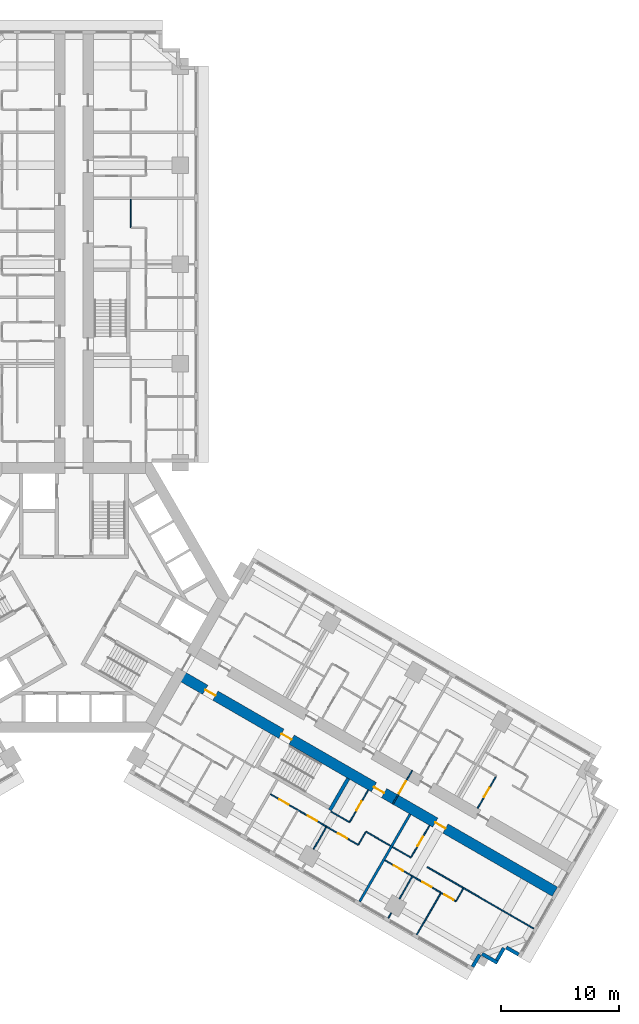
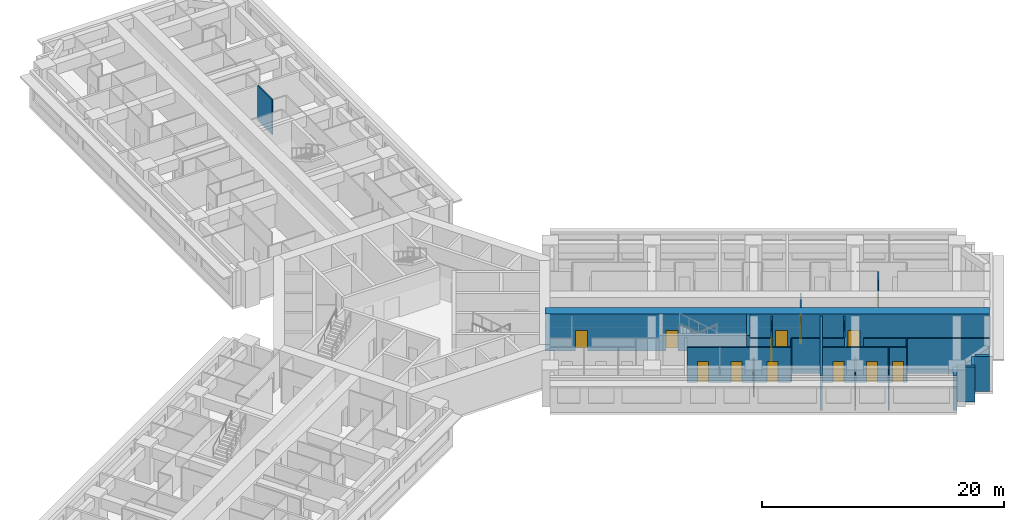
# One storey, part 11 of 16: 24 walls, 14 doors, 14 openings.
"""IFC4 building model written with IfcOpenShell, lengths in metres."""

from ifc_helpers import new_model, si_unit, direction, frame, frame_2d, origin, place, context, subcontext, project, spatial, rectangle, extrude, material, layer, layer_set, type_object, element, fill, save


model = new_model("IFC4")

# Units and contexts
model_context = context("Model", 3, precision=1e-05, world=origin(), true_north=direction((0.0, 1.0)))
body_context = subcontext(model_context, "Body", "Model", "MODEL_VIEW")
ifc_project = project(units=[si_unit("LENGTHUNIT", "METRE"), si_unit("AREAUNIT", "SQUARE_METRE"), si_unit("VOLUMEUNIT", "CUBIC_METRE"), si_unit("PLANEANGLEUNIT", "RADIAN"), si_unit("MASSUNIT", "GRAM", prefix="KILO")], contexts=[model_context])

# Site, building, storey
site_placement = place(None, origin())
site = spatial("IfcSite", under=ifc_project, at=site_placement, CompositionType="ELEMENT")
building_placement = place(site_placement, origin())
building = spatial("IfcBuilding", under=site, at=building_placement, Name="Impinga Residences", CompositionType="ELEMENT")
storey_placement = place(building_placement, frame((0.0, 0.0, 59.75)))
storey = spatial("IfcBuildingStorey", under=building, at=storey_placement, Name="L14", CompositionType="ELEMENT", Elevation=59.75)

# Wall, openings, doors
ifc_material_1 = material(Name="Concrete C70/85", Category="concrete")
ifc_layer_1 = layer(ifc_material_1, 0.89990234375)
ifc_layer_set_1 = layer_set([ifc_layer_1], Name="Concrete C70/85")
wall_type_1 = type_object("IfcWallType", Name="BW1 corridor buttress wall, L05 to L22 900", PredefinedType="SHEAR", material=ifc_layer_set_1)
wall_1_placement = place(storey_placement, frame((8.910400390625, -6.530029296875, 0.0), z_axis=(0.0, 0.0, 1.0), x_axis=(0.866025284237, -0.500000207062, 0.0)))
wall_1 = element("IfcWall", 1, at=wall_1_placement, inside=storey, type_object=wall_type_1, Name="Corridor wall BW1 ED L14", PredefinedType="SHEAR", context=body_context, shape_type="SweptSolid", body=[
    extrude(rectangle(XDim=36.75, YDim=0.89990234375, at=frame_2d((18.375, 0.0))), origin(), (0.0, 0.0, 1.0), 3.75),
])
opening_1_placement = place(wall_1_placement, frame((10.0, 0.0, 0.0)))
opening_1 = element("IfcOpeningElement", 2, at=opening_1_placement, cuts=wall_1, Name="Opening D5", PredefinedType="OPENING", context=body_context, shape_type="SweptSolid", body=[
    extrude(rectangle(XDim=1.0, YDim=2.10009765625, at=frame_2d((0.5, 1.050048828125))), frame((0.0, 0.4599609375, 0.0), z_axis=(0.0, -1.0, 0.0), x_axis=(1.0, 0.0, 0.0)), (0.0, 0.0, 1.0), 0.919921875),
])
opening_2_placement = place(wall_1_placement, frame((2.550048828125, 0.0, 0.0)))
opening_2 = element("IfcOpeningElement", 3, at=opening_2_placement, cuts=wall_1, Name="Opening D1", PredefinedType="OPENING", context=body_context, shape_type="SweptSolid", body=[
    extrude(rectangle(XDim=1.0, YDim=2.10009765625, at=frame_2d((0.5, 1.050048828125))), frame((0.0, 0.4599609375, 0.0), z_axis=(0.0, -1.0, 0.0), x_axis=(1.0, 0.0, 0.0)), (0.0, 0.0, 1.0), 0.919921875),
])
opening_3_placement = place(wall_1_placement, frame((19.050048828125, 0.0, 0.0)))
opening_3 = element("IfcOpeningElement", 4, at=opening_3_placement, cuts=wall_1, Name="Opening D1", PredefinedType="OPENING", context=body_context, shape_type="SweptSolid", body=[
    extrude(rectangle(XDim=1.0, YDim=2.10009765625, at=frame_2d((0.5, 1.050048828125))), frame((0.0, 0.4599609375, 0.0), z_axis=(0.0, -1.0, 0.0), x_axis=(1.0, 0.0, 0.0)), (0.0, 0.0, 1.0), 0.919921875),
])
opening_4_placement = place(wall_1_placement, frame((25.050048828125, 0.0, 0.0)))
opening_4 = element("IfcOpeningElement", 5, at=opening_4_placement, cuts=wall_1, Name="Opening D1", PredefinedType="OPENING", context=body_context, shape_type="SweptSolid", body=[
    extrude(rectangle(XDim=1.0, YDim=2.10009765625, at=frame_2d((0.5, 1.050048828125))), frame((0.0, 0.4599609375, 0.0), z_axis=(0.0, -1.0, 0.0), x_axis=(1.0, 0.0, 0.0)), (0.0, 0.0, 1.0), 0.919921875),
])
ifc_material_2 = material(Name="Timber door set", Category="wood")
door_type_1 = type_object("IfcDoorType", Name="D1 apartment entrance door 1000x2100", OperationType="SINGLE_SWING_LEFT", PredefinedType="DOOR", material=ifc_material_2)
door_1_placement = place(opening_2_placement, origin())
door_1 = element("IfcDoor", 6, at=door_1_placement, inside=storey, type_object=door_type_1, Name="Apartment L14-EF1 entrance", OperationType="SINGLE_SWING_LEFT", OverallHeight=2.10009765625, OverallWidth=1.0, PredefinedType="DOOR", context=body_context, shape_type="SweptSolid", body=[
    extrude(rectangle(XDim=1.0, YDim=2.10009765625, at=frame_2d((0.5, 1.050048828125))), frame((0.0, 0.02490234375, 0.0), z_axis=(0.0, -1.0, 0.0), x_axis=(1.0, 0.0, 0.0)), (0.0, 0.0, 1.0), 0.050048828125),
])
fill(opening_2, door_1)
door_2_placement = place(opening_3_placement, origin())
door_2 = element("IfcDoor", 7, at=door_2_placement, inside=storey, type_object=door_type_1, Name="Apartment L14-EF2 entrance", OperationType="SINGLE_SWING_RIGHT", OverallHeight=2.10009765625, OverallWidth=1.0, PredefinedType="DOOR", context=body_context, shape_type="SweptSolid", body=[
    extrude(rectangle(XDim=1.0, YDim=2.10009765625, at=frame_2d((0.5, 1.050048828125))), frame((0.0, 0.02490234375, 0.0), z_axis=(0.0, -1.0, 0.0), x_axis=(1.0, 0.0, 0.0)), (0.0, 0.0, 1.0), 0.050048828125),
])
fill(opening_3, door_2)
door_3_placement = place(opening_4_placement, origin())
door_3 = element("IfcDoor", 8, at=door_3_placement, inside=storey, type_object=door_type_1, Name="Apartment L14-EF3 entrance", OperationType="SINGLE_SWING_RIGHT", OverallHeight=2.10009765625, OverallWidth=1.0, PredefinedType="DOOR", context=body_context, shape_type="SweptSolid", body=[
    extrude(rectangle(XDim=1.0, YDim=2.10009765625, at=frame_2d((0.5, 1.050048828125))), frame((0.0, 0.02490234375, 0.0), z_axis=(0.0, -1.0, 0.0), x_axis=(1.0, 0.0, 0.0)), (0.0, 0.0, 1.0), 0.050048828125),
])
fill(opening_4, door_3)
door_type_2 = type_object("IfcDoorType", Name="D5 stair door 1000x2100", OperationType="SINGLE_SWING_LEFT", PredefinedType="DOOR", material=ifc_material_2)
door_4_placement = place(opening_1_placement, origin())
door_4 = element("IfcDoor", 9, at=door_4_placement, inside=storey, type_object=door_type_2, Name="Wing stair door E", OperationType="SINGLE_SWING_LEFT", OverallHeight=2.10009765625, OverallWidth=1.0, PredefinedType="DOOR", context=body_context, shape_type="SweptSolid", body=[
    extrude(rectangle(XDim=1.0, YDim=2.10009765625, at=frame_2d((0.5, 1.050048828125))), frame((0.0, 0.02490234375, 0.0), z_axis=(0.0, -1.0, 0.0), x_axis=(1.0, 0.0, 0.0)), (0.0, 0.0, 1.0), 0.050048828125),
])
fill(opening_1, door_4)

# Wall, opening, door
ifc_material_3 = material(Name="Concrete blockwork", Category="masonry")
ifc_layer_2 = layer(ifc_material_3, 0.10009765625)
ifc_layer_set_2 = layer_set([ifc_layer_2], Name="CP1 core room partition, blockwork 100")
wall_type_2 = type_object("IfcWallType", Name="CP1 core room partition, blockwork 100", PredefinedType="PARTITIONING", material=ifc_layer_set_2)
wall_2_placement = place(storey_placement, frame((28.652099609375, -14.636962890625, 0.0), z_axis=(0.0, 0.0, 1.0), x_axis=(-0.499974350878, -0.866040211805, 0.0)))
wall_2 = element("IfcWall", 10, at=wall_2_placement, inside=storey, type_object=wall_type_2, Name="Core room partition, blockwork L14:E:SCR", PredefinedType="PARTITIONING", context=body_context, shape_type="SweptSolid", body=[
    extrude(rectangle(XDim=3.300048828125, YDim=0.10009765625, at=frame_2d((1.64990234375, 0.0))), origin(), (0.0, 0.0, 1.0), 3.530029296875),
])
opening_5_placement = place(wall_2_placement, frame((1.050048828125, 0.0, 0.0)))
opening_5 = element("IfcOpeningElement", 11, at=opening_5_placement, cuts=wall_2, Name="Opening D3", PredefinedType="OPENING", context=body_context, shape_type="SweptSolid", body=[
    extrude(rectangle(XDim=1.199951171875, YDim=2.10009765625, at=frame_2d((0.60009765625, 1.050048828125))), frame((0.0, 0.06005859375, 0.0), z_axis=(0.0, -1.0, 0.0), x_axis=(1.0, 0.0, 0.0)), (0.0, 0.0, 1.0), 0.1201171875),
])
door_type_3 = type_object("IfcDoorType", Name="D3 room door, leaf and a half 1200x2100", OperationType="DOUBLE_SWING_LEFT", PredefinedType="DOOR", material=ifc_material_2)
door_5_placement = place(opening_5_placement, origin())
door_5 = element("IfcDoor", 12, at=door_5_placement, inside=storey, type_object=door_type_3, Name="Corridor smoke door E", OperationType="DOUBLE_SWING_LEFT", OverallHeight=2.10009765625, OverallWidth=1.199951171875, PredefinedType="DOOR", context=body_context, shape_type="SweptSolid", body=[
    extrude(rectangle(XDim=1.199951171875, YDim=2.10009765625, at=frame_2d((0.60009765625, 1.050048828125))), frame((0.0, 0.02490234375, 0.0), z_axis=(0.0, -1.0, 0.0), x_axis=(1.0, 0.0, 0.0)), (0.0, 0.0, 1.0), 0.050048828125),
])
fill(opening_5, door_5)

# Walls
ifc_material_4 = material(Name="Terracotta rainscreen on blockwork", Category="masonry")
ifc_layer_3 = layer(ifc_material_4, 0.300048828125)
ifc_layer_set_3 = layer_set([ifc_layer_3], Name="EW1 external wall, terracotta rainscreen on blockwork 300")
wall_type_3 = type_object("IfcWallType", Name="EW1 external wall, terracotta rainscreen on blockwork 300", PredefinedType="SOLIDWALL", material=ifc_layer_set_3)
wall_3_placement = place(storey_placement, frame((37.66162109375, -30.23095703125, 0.0), z_axis=(0.0, 0.0, 1.0), x_axis=(-0.866059708757, 0.499940577336, 0.0)))
element("IfcWall", 13, at=wall_3_placement, inside=storey, type_object=wall_type_3, Name="External wall EW1 L14", PredefinedType="SOLIDWALL", context=body_context, shape_type="SweptSolid", body=[
    extrude(rectangle(XDim=1.195068359375, YDim=0.300048828125, at=frame_2d((0.59765625, 0.0))), origin(), (0.0, 0.0, 1.0), 3.530029296875),
])
wall_4_placement = place(storey_placement, frame((36.41748046875, -29.68603515625, 0.0), z_axis=(0.0, 0.0, 1.0), x_axis=(-0.499969057507, -0.866043267704, 0.0)))
element("IfcWall", 14, at=wall_4_placement, inside=storey, type_object=wall_type_3, Name="External wall EW1 L14", PredefinedType="SOLIDWALL", context=body_context, shape_type="SweptSolid", body=[
    extrude(rectangle(XDim=1.19970703125, YDim=0.300048828125, at=frame_2d((0.599853515625, 0.0))), origin(), (0.0, 0.0, 1.0), 3.530029296875),
])
wall_5_placement = place(storey_placement, frame((35.87255859375, -30.93017578125, 0.0), z_axis=(0.0, 0.0, 1.0), x_axis=(-0.866031096941, 0.499990139034, 0.0)))
element("IfcWall", 15, at=wall_5_placement, inside=storey, type_object=wall_type_3, Name="External wall EW1 L14", PredefinedType="SOLIDWALL", context=body_context, shape_type="SweptSolid", body=[
    extrude(rectangle(XDim=1.5, YDim=0.300048828125, at=frame_2d((0.75, 0.0))), origin(), (0.0, 0.0, 1.0), 3.530029296875),
])
wall_6_placement = place(storey_placement, frame((34.365966796875, -30.2392578125, 0.0), z_axis=(0.0, 0.0, 1.0), x_axis=(-0.499940577336, -0.866059708757, 0.0)))
element("IfcWall", 16, at=wall_6_placement, inside=storey, type_object=wall_type_3, Name="External wall EW1 L14", PredefinedType="SOLIDWALL", context=body_context, shape_type="SweptSolid", body=[
    extrude(rectangle(XDim=1.195068359375, YDim=0.300048828125, at=frame_2d((0.59765625, 0.0))), origin(), (0.0, 0.0, 1.0), 3.530029296875),
])
ifc_material_5 = material(Name="Gypsum board on steel studs", Category="steel")
ifc_layer_4 = layer(ifc_material_5, 0.10009765625)
ifc_layer_set_4 = layer_set([ifc_layer_4], Name="Gypsum board on steel studs")
wall_type_4 = type_object("IfcWallType", Name="IP1 partition 100", PredefinedType="PARTITIONING", material=ifc_layer_set_4)
wall_7_placement = place(storey_placement, frame((4.800048828125, 31.33154296875, 0.0), z_axis=(0.0, 0.0, 1.0), x_axis=(0.0, 1.0, 0.0)))
element("IfcWall", 17, at=wall_7_placement, inside=storey, type_object=wall_type_4, Name="Partition L14-NF2:DIV1", PredefinedType="PARTITIONING", context=body_context, shape_type="SweptSolid", body=[
    extrude(rectangle(XDim=2.39990234375, YDim=0.10009765625, at=frame_2d((1.199951171875, 0.0))), origin(), (0.0, 0.0, 1.0), 3.530029296875),
])

# Wall, opening, door
wall_8_placement = place(storey_placement, frame((34.1943359375, -17.8369140625, 0.0), z_axis=(0.0, 0.0, 1.0), x_axis=(0.49999285859, 0.86602952684, 0.0)))
wall_8 = element("IfcWall", 18, at=wall_8_placement, inside=storey, type_object=wall_type_4, Name="Partition L14-EA5:IB1", PredefinedType="PARTITIONING", context=body_context, shape_type="SweptSolid", body=[
    extrude(rectangle(XDim=3.10009765625, YDim=0.10009765625, at=frame_2d((1.550048828125, 0.0))), origin(), (0.0, 0.0, 1.0), 3.530029296875),
])
opening_6_placement = place(wall_8_placement, frame((1.10009765625, 0.0, 0.0)))
opening_6 = element("IfcOpeningElement", 19, at=opening_6_placement, cuts=wall_8, Name="Opening D2", PredefinedType="OPENING", context=body_context, shape_type="SweptSolid", body=[
    extrude(rectangle(XDim=0.89990234375, YDim=2.10009765625, at=frame_2d((0.449951171875, 1.050048828125))), frame((0.0, 0.06005859375, 0.0), z_axis=(0.0, -1.0, 0.0), x_axis=(1.0, 0.0, 0.0)), (0.0, 0.0, 1.0), 0.1201171875),
])
door_type_4 = type_object("IfcDoorType", Name="D2 internal door 900x2100", OperationType="SINGLE_SWING_LEFT", PredefinedType="DOOR", material=ifc_material_2)
door_6_placement = place(opening_6_placement, origin())
door_6 = element("IfcDoor", 20, at=door_6_placement, inside=storey, type_object=door_type_4, Name="Apartment L14-EA5 bathroom door", OperationType="SINGLE_SWING_LEFT", OverallHeight=2.10009765625, OverallWidth=0.89990234375, PredefinedType="DOOR", context=body_context, shape_type="SweptSolid", body=[
    extrude(rectangle(XDim=0.89990234375, YDim=2.10009765625, at=frame_2d((0.449951171875, 1.050048828125))), frame((0.0, 0.02490234375, 0.0), z_axis=(0.0, -1.0, 0.0), x_axis=(1.0, 0.0, 0.0)), (0.0, 0.0, 1.0), 0.050048828125),
])
fill(opening_6, door_6)

# Walls
wall_9_placement = place(storey_placement, frame((21.789306640625, -18.122802734375, 0.0), z_axis=(0.0, 0.0, 1.0), x_axis=(0.866047807691, -0.499961193289, 0.0)))
element("IfcWall", 21, at=wall_9_placement, inside=storey, type_object=wall_type_4, Name="Partition L14-EF2:DIV0", PredefinedType="PARTITIONING", context=body_context, shape_type="SweptSolid", body=[
    extrude(rectangle(XDim=1.800048828125, YDim=0.10009765625, at=frame_2d((0.89990234375, 0.0))), origin(), (0.0, 0.0, 1.0), 3.530029296875),
])
wall_10_placement = place(storey_placement, frame((24.73388671875, -19.82275390625, 0.0), z_axis=(0.0, 0.0, 1.0), x_axis=(0.866024647952, -0.500001309137, 0.0)))
element("IfcWall", 22, at=wall_10_placement, inside=storey, type_object=wall_type_4, Name="Partition L14-EF2:DIV1", PredefinedType="PARTITIONING", context=body_context, shape_type="SweptSolid", body=[
    extrude(rectangle(XDim=2.39990234375, YDim=0.10009765625, at=frame_2d((1.199951171875, 0.0))), origin(), (0.0, 0.0, 1.0), 3.530029296875),
])

# Wall, openings, doors
wall_11_placement = place(storey_placement, frame((16.635986328125, -16.6484375, 0.0), z_axis=(0.0, 0.0, 1.0), x_axis=(0.866028165386, -0.499995216735, 0.0)))
wall_11 = element("IfcWall", 23, at=wall_11_placement, inside=storey, type_object=wall_type_4, Name="Partition L14-EF2:STRIP", PredefinedType="PARTITIONING", context=body_context, shape_type="SweptSolid", body=[
    extrude(rectangle(XDim=8.60009765625, YDim=0.10009765625, at=frame_2d((4.300048828125, 0.0))), origin(), (0.0, 0.0, 1.0), 3.530029296875),
])
opening_7_placement = place(wall_11_placement, frame((0.875, 0.0, 0.0)))
opening_7 = element("IfcOpeningElement", 24, at=opening_7_placement, cuts=wall_11, Name="Opening D2", PredefinedType="OPENING", context=body_context, shape_type="SweptSolid", body=[
    extrude(rectangle(XDim=0.89990234375, YDim=2.10009765625, at=frame_2d((0.449951171875, 1.050048828125))), frame((0.0, 0.06005859375, 0.0), z_axis=(0.0, -1.0, 0.0), x_axis=(1.0, 0.0, 0.0)), (0.0, 0.0, 1.0), 0.1201171875),
])
opening_8_placement = place(wall_11_placement, frame((3.64990234375, 0.0, 0.0)))
opening_8 = element("IfcOpeningElement", 25, at=opening_8_placement, cuts=wall_11, Name="Opening D2", PredefinedType="OPENING", context=body_context, shape_type="SweptSolid", body=[
    extrude(rectangle(XDim=0.89990234375, YDim=2.10009765625, at=frame_2d((0.449951171875, 1.050048828125))), frame((0.0, 0.06005859375, 0.0), z_axis=(0.0, -1.0, 0.0), x_axis=(1.0, 0.0, 0.0)), (0.0, 0.0, 1.0), 0.1201171875),
])
opening_9_placement = place(wall_11_placement, frame((6.625, 0.0, 0.0)))
opening_9 = element("IfcOpeningElement", 26, at=opening_9_placement, cuts=wall_11, Name="Opening D2", PredefinedType="OPENING", context=body_context, shape_type="SweptSolid", body=[
    extrude(rectangle(XDim=0.89990234375, YDim=2.10009765625, at=frame_2d((0.449951171875, 1.050048828125))), frame((0.0, 0.06005859375, 0.0), z_axis=(0.0, -1.0, 0.0), x_axis=(1.0, 0.0, 0.0)), (0.0, 0.0, 1.0), 0.1201171875),
])
door_7_placement = place(opening_7_placement, origin())
door_7 = element("IfcDoor", 27, at=door_7_placement, inside=storey, type_object=door_type_4, Name="Apartment L14-EF2 room door", OperationType="SINGLE_SWING_LEFT", OverallHeight=2.10009765625, OverallWidth=0.89990234375, PredefinedType="DOOR", context=body_context, shape_type="SweptSolid", body=[
    extrude(rectangle(XDim=0.89990234375, YDim=2.10009765625, at=frame_2d((0.449951171875, 1.050048828125))), frame((0.0, 0.02490234375, 0.0), z_axis=(0.0, -1.0, 0.0), x_axis=(1.0, 0.0, 0.0)), (0.0, 0.0, 1.0), 0.050048828125),
])
fill(opening_7, door_7)
door_8_placement = place(opening_8_placement, origin())
door_8 = element("IfcDoor", 28, at=door_8_placement, inside=storey, type_object=door_type_4, Name="Apartment L14-EF2 room door", OperationType="SINGLE_SWING_LEFT", OverallHeight=2.10009765625, OverallWidth=0.89990234375, PredefinedType="DOOR", context=body_context, shape_type="SweptSolid", body=[
    extrude(rectangle(XDim=0.89990234375, YDim=2.10009765625, at=frame_2d((0.449951171875, 1.050048828125))), frame((0.0, 0.02490234375, 0.0), z_axis=(0.0, -1.0, 0.0), x_axis=(1.0, 0.0, 0.0)), (0.0, 0.0, 1.0), 0.050048828125),
])
fill(opening_8, door_8)
door_9_placement = place(opening_9_placement, origin())
door_9 = element("IfcDoor", 29, at=door_9_placement, inside=storey, type_object=door_type_4, Name="Apartment L14-EF2 room door", OperationType="SINGLE_SWING_RIGHT", OverallHeight=2.10009765625, OverallWidth=0.89990234375, PredefinedType="DOOR", context=body_context, shape_type="SweptSolid", body=[
    extrude(rectangle(XDim=0.89990234375, YDim=2.10009765625, at=frame_2d((0.449951171875, 1.050048828125))), frame((0.0, 0.02490234375, 0.0), z_axis=(0.0, -1.0, 0.0), x_axis=(1.0, 0.0, 0.0)), (0.0, 0.0, 1.0), 0.050048828125),
])
fill(opening_9, door_9)

# Wall
wall_12_placement = place(storey_placement, frame((24.708984375, -19.865966796875, 0.0), z_axis=(0.0, 0.0, 1.0), x_axis=(-0.500033551112, -0.866006032174, 0.0)))
element("IfcWall", 30, at=wall_12_placement, inside=storey, type_object=wall_type_4, Name="Partition L14-EF2:SE1", PredefinedType="PARTITIONING", context=body_context, shape_type="SweptSolid", body=[
    extrude(rectangle(XDim=1.2001953125, YDim=0.10009765625, at=frame_2d((0.60009765625, 0.0))), origin(), (0.0, 0.0, 1.0), 3.530029296875),
])

# Wall, opening, door
wall_13_placement = place(storey_placement, frame((24.92333984375, -16.294677734375, 0.0), z_axis=(0.0, 0.0, 1.0), x_axis=(-0.49999285859, -0.86602952684, 0.0)))
wall_13 = element("IfcWall", 31, at=wall_13_placement, inside=storey, type_object=wall_type_4, Name="Partition L14-EF2:IB1", PredefinedType="PARTITIONING", context=body_context, shape_type="SweptSolid", body=[
    extrude(rectangle(XDim=3.10009765625, YDim=0.10009765625, at=frame_2d((1.550048828125, 0.0))), origin(), (0.0, 0.0, 1.0), 3.530029296875),
])
opening_10_placement = place(wall_13_placement, frame((1.10009765625, 0.0, 0.0)))
opening_10 = element("IfcOpeningElement", 32, at=opening_10_placement, cuts=wall_13, Name="Opening D2", PredefinedType="OPENING", context=body_context, shape_type="SweptSolid", body=[
    extrude(rectangle(XDim=0.89990234375, YDim=2.10009765625, at=frame_2d((0.449951171875, 1.050048828125))), frame((0.0, 0.06005859375, 0.0), z_axis=(0.0, -1.0, 0.0), x_axis=(1.0, 0.0, 0.0)), (0.0, 0.0, 1.0), 0.1201171875),
])
door_10_placement = place(opening_10_placement, origin())
door_10 = element("IfcDoor", 33, at=door_10_placement, inside=storey, type_object=door_type_4, Name="Apartment L14-EF2 bathroom door", OperationType="SINGLE_SWING_LEFT", OverallHeight=2.10009765625, OverallWidth=0.89990234375, PredefinedType="DOOR", context=body_context, shape_type="SweptSolid", body=[
    extrude(rectangle(XDim=0.89990234375, YDim=2.10009765625, at=frame_2d((0.449951171875, 1.050048828125))), frame((0.0, 0.02490234375, 0.0), z_axis=(0.0, -1.0, 0.0), x_axis=(1.0, 0.0, 0.0)), (0.0, 0.0, 1.0), 0.050048828125),
])
fill(opening_10, door_10)

# Walls
wall_14_placement = place(storey_placement, frame((21.374267578125, -19.44189453125, 0.0), z_axis=(0.0, 0.0, 1.0), x_axis=(-0.500010803666, -0.866019166195, 0.0)))
element("IfcWall", 34, at=wall_14_placement, inside=storey, type_object=wall_type_4, Name="Partition L14-EF2:OB2", PredefinedType="PARTITIONING", context=body_context, shape_type="SweptSolid", body=[
    extrude(rectangle(XDim=2.14990234375, YDim=0.10009765625, at=frame_2d((1.074951171875, 0.0))), origin(), (0.0, 0.0, 1.0), 2.47998046875),
])
wall_15_placement = place(storey_placement, frame((26.985595703125, -21.122802734375, 0.0), z_axis=(0.0, 0.0, 1.0), x_axis=(0.866047807691, -0.499961193289, 0.0)))
element("IfcWall", 35, at=wall_15_placement, inside=storey, type_object=wall_type_4, Name="Partition L14-EF3:DIV0", PredefinedType="PARTITIONING", context=body_context, shape_type="SweptSolid", body=[
    extrude(rectangle(XDim=1.800048828125, YDim=0.10009765625, at=frame_2d((0.89990234375, 0.0))), origin(), (0.0, 0.0, 1.0), 3.530029296875),
])
wall_16_placement = place(storey_placement, frame((29.93017578125, -22.82275390625, 0.0), z_axis=(0.0, 0.0, 1.0), x_axis=(0.866025696342, -0.499999493275, 0.0)))
element("IfcWall", 36, at=wall_16_placement, inside=storey, type_object=wall_type_4, Name="Partition L14-EF3:DIV1", PredefinedType="PARTITIONING", context=body_context, shape_type="SweptSolid", body=[
    extrude(rectangle(XDim=10.39990234375, YDim=0.10009765625, at=frame_2d((5.199951171875, 0.0))), origin(), (0.0, 0.0, 1.0), 3.530029296875),
])

# Wall, openings, doors
wall_17_placement = place(storey_placement, frame((26.335693359375, -22.24853515625, 0.0), z_axis=(0.0, 0.0, 1.0), x_axis=(0.866016523273, -0.500015381182, 0.0)))
wall_17 = element("IfcWall", 37, at=wall_17_placement, inside=storey, type_object=wall_type_4, Name="Partition L14-EF3:STRIP", PredefinedType="PARTITIONING", context=body_context, shape_type="SweptSolid", body=[
    extrude(rectangle(XDim=6.949951171875, YDim=0.10009765625, at=frame_2d((3.47509765625, 0.0))), origin(), (0.0, 0.0, 1.0), 3.530029296875),
])
opening_11_placement = place(wall_17_placement, frame((0.875, 0.0, 0.0)))
opening_11 = element("IfcOpeningElement", 38, at=opening_11_placement, cuts=wall_17, Name="Opening D2", PredefinedType="OPENING", context=body_context, shape_type="SweptSolid", body=[
    extrude(rectangle(XDim=0.89990234375, YDim=2.10009765625, at=frame_2d((0.449951171875, 1.050048828125))), frame((0.0, 0.06005859375, 0.0), z_axis=(0.0, -1.0, 0.0), x_axis=(1.0, 0.0, 0.0)), (0.0, 0.0, 1.0), 0.1201171875),
])
opening_12_placement = place(wall_17_placement, frame((3.64990234375, 0.0, 0.0)))
opening_12 = element("IfcOpeningElement", 39, at=opening_12_placement, cuts=wall_17, Name="Opening D2", PredefinedType="OPENING", context=body_context, shape_type="SweptSolid", body=[
    extrude(rectangle(XDim=0.89990234375, YDim=2.10009765625, at=frame_2d((0.449951171875, 1.050048828125))), frame((0.0, 0.06005859375, 0.0), z_axis=(0.0, -1.0, 0.0), x_axis=(1.0, 0.0, 0.0)), (0.0, 0.0, 1.0), 0.1201171875),
])
opening_13_placement = place(wall_17_placement, frame((5.800048828125, 0.0, 0.0)))
opening_13 = element("IfcOpeningElement", 40, at=opening_13_placement, cuts=wall_17, Name="Opening D2", PredefinedType="OPENING", context=body_context, shape_type="SweptSolid", body=[
    extrude(rectangle(XDim=0.89990234375, YDim=2.10009765625, at=frame_2d((0.449951171875, 1.050048828125))), frame((0.0, 0.06005859375, 0.0), z_axis=(0.0, -1.0, 0.0), x_axis=(1.0, 0.0, 0.0)), (0.0, 0.0, 1.0), 0.1201171875),
])
door_11_placement = place(opening_11_placement, origin())
door_11 = element("IfcDoor", 41, at=door_11_placement, inside=storey, type_object=door_type_4, Name="Apartment L14-EF3 room door", OperationType="SINGLE_SWING_LEFT", OverallHeight=2.10009765625, OverallWidth=0.89990234375, PredefinedType="DOOR", context=body_context, shape_type="SweptSolid", body=[
    extrude(rectangle(XDim=0.89990234375, YDim=2.10009765625, at=frame_2d((0.449951171875, 1.050048828125))), frame((0.0, 0.02490234375, 0.0), z_axis=(0.0, -1.0, 0.0), x_axis=(1.0, 0.0, 0.0)), (0.0, 0.0, 1.0), 0.050048828125),
])
fill(opening_11, door_11)
door_12_placement = place(opening_12_placement, origin())
door_12 = element("IfcDoor", 42, at=door_12_placement, inside=storey, type_object=door_type_4, Name="Apartment L14-EF3 room door", OperationType="SINGLE_SWING_RIGHT", OverallHeight=2.10009765625, OverallWidth=0.89990234375, PredefinedType="DOOR", context=body_context, shape_type="SweptSolid", body=[
    extrude(rectangle(XDim=0.89990234375, YDim=2.10009765625, at=frame_2d((0.449951171875, 1.050048828125))), frame((0.0, 0.02490234375, 0.0), z_axis=(0.0, -1.0, 0.0), x_axis=(1.0, 0.0, 0.0)), (0.0, 0.0, 1.0), 0.050048828125),
])
fill(opening_12, door_12)
door_13_placement = place(opening_13_placement, origin())
door_13 = element("IfcDoor", 43, at=door_13_placement, inside=storey, type_object=door_type_4, Name="Apartment L14-EF3 room door", OperationType="SINGLE_SWING_RIGHT", OverallHeight=2.10009765625, OverallWidth=0.89990234375, PredefinedType="DOOR", context=body_context, shape_type="SweptSolid", body=[
    extrude(rectangle(XDim=0.89990234375, YDim=2.10009765625, at=frame_2d((0.449951171875, 1.050048828125))), frame((0.0, 0.02490234375, 0.0), z_axis=(0.0, -1.0, 0.0), x_axis=(1.0, 0.0, 0.0)), (0.0, 0.0, 1.0), 0.050048828125),
])
fill(opening_13, door_13)

# Wall
wall_18_placement = place(storey_placement, frame((32.9794921875, -24.640869140625, 0.0), z_axis=(0.0, 0.0, 1.0), x_axis=(-0.500033551112, -0.866006032174, 0.0)))
element("IfcWall", 44, at=wall_18_placement, inside=storey, type_object=wall_type_4, Name="Partition L14-EF3:SE1", PredefinedType="PARTITIONING", context=body_context, shape_type="SweptSolid", body=[
    extrude(rectangle(XDim=1.2001953125, YDim=0.10009765625, at=frame_2d((0.60009765625, 0.0))), origin(), (0.0, 0.0, 1.0), 3.530029296875),
])

# Wall, opening, door
wall_19_placement = place(storey_placement, frame((30.119384765625, -19.294677734375, 0.0), z_axis=(0.0, 0.0, 1.0), x_axis=(-0.49999285859, -0.86602952684, 0.0)))
wall_19 = element("IfcWall", 45, at=wall_19_placement, inside=storey, type_object=wall_type_4, Name="Partition L14-EF3:IB1", PredefinedType="PARTITIONING", context=body_context, shape_type="SweptSolid", body=[
    extrude(rectangle(XDim=3.10009765625, YDim=0.10009765625, at=frame_2d((1.550048828125, 0.0))), origin(), (0.0, 0.0, 1.0), 3.530029296875),
])
opening_14_placement = place(wall_19_placement, frame((1.10009765625, 0.0, 0.0)))
opening_14 = element("IfcOpeningElement", 46, at=opening_14_placement, cuts=wall_19, Name="Opening D2", PredefinedType="OPENING", context=body_context, shape_type="SweptSolid", body=[
    extrude(rectangle(XDim=0.89990234375, YDim=2.10009765625, at=frame_2d((0.449951171875, 1.050048828125))), frame((0.0, 0.06005859375, 0.0), z_axis=(0.0, -1.0, 0.0), x_axis=(1.0, 0.0, 0.0)), (0.0, 0.0, 1.0), 0.1201171875),
])
door_14_placement = place(opening_14_placement, origin())
door_14 = element("IfcDoor", 47, at=door_14_placement, inside=storey, type_object=door_type_4, Name="Apartment L14-EF3 bathroom door", OperationType="SINGLE_SWING_LEFT", OverallHeight=2.10009765625, OverallWidth=0.89990234375, PredefinedType="DOOR", context=body_context, shape_type="SweptSolid", body=[
    extrude(rectangle(XDim=0.89990234375, YDim=2.10009765625, at=frame_2d((0.449951171875, 1.050048828125))), frame((0.0, 0.02490234375, 0.0), z_axis=(0.0, -1.0, 0.0), x_axis=(1.0, 0.0, 0.0)), (0.0, 0.0, 1.0), 0.050048828125),
])
fill(opening_14, door_14)

# Walls
wall_20_placement = place(storey_placement, frame((28.64892578125, -23.641845703125, 0.0), z_axis=(0.0, 0.0, 1.0), x_axis=(-0.500095966228, -0.865969990567, 0.0)))
element("IfcWall", 48, at=wall_20_placement, inside=storey, type_object=wall_type_4, Name="Partition L14-EF3:OB1", PredefinedType="PARTITIONING", context=body_context, shape_type="SweptSolid", body=[
    extrude(rectangle(XDim=2.14990234375, YDim=0.10009765625, at=frame_2d((1.074951171875, 0.0))), origin(), (0.0, 0.0, 1.0), 2.47998046875),
])
wall_21_placement = place(storey_placement, frame((26.873779296875, -26.71630859375, 0.0), z_axis=(0.0, 0.0, 1.0), x_axis=(-0.500131122175, -0.865949687125, 0.0)))
element("IfcWall", 49, at=wall_21_placement, inside=storey, type_object=wall_type_4, Name="Partition L14-EF3:OB1b", PredefinedType="PARTITIONING", context=body_context, shape_type="SweptSolid", body=[
    extrude(rectangle(XDim=0.499755859375, YDim=0.10009765625, at=frame_2d((0.25, 0.0))), origin(), (0.0, 0.0, 1.0), 3.530029296875),
])
wall_22_placement = place(storey_placement, frame((31.07373046875, -25.041748046875, 0.0), z_axis=(0.0, 0.0, 1.0), x_axis=(-0.499964223975, -0.866046058097, 0.0)))
element("IfcWall", 50, at=wall_22_placement, inside=storey, type_object=wall_type_4, Name="Partition L14-EF3:OB2", PredefinedType="PARTITIONING", context=body_context, shape_type="SweptSolid", body=[
    extrude(rectangle(XDim=4.050048828125, YDim=0.10009765625, at=frame_2d((2.02490234375, 0.0))), origin(), (0.0, 0.0, 1.0), 3.530029296875),
])
ifc_layer_5 = layer(ifc_material_3, 0.199951171875)
ifc_layer_set_5 = layer_set([ifc_layer_5], Name="PW1 party wall between apartments 200")
wall_type_5 = type_object("IfcWallType", Name="PW1 party wall between apartments 200", PredefinedType="SOLIDWALL", material=ifc_layer_set_5)
wall_23_placement = place(storey_placement, frame((28.473876953125, -18.3447265625, 0.0), z_axis=(0.0, 0.0, 1.0), x_axis=(-0.499990227581, -0.86603104582, 0.0)))
element("IfcWall", 51, at=wall_23_placement, inside=storey, type_object=wall_type_5, Name="Party wall between apartments L14-EF2:PARTY", PredefinedType="SOLIDWALL", context=body_context, shape_type="SweptSolid", body=[
    extrude(rectangle(XDim=8.550048828125, YDim=0.199951171875, at=frame_2d((4.27490234375, 0.0))), origin(), (0.0, 0.0, 1.0), 3.530029296875),
])
ifc_material_6 = material(Name="Concrete C60/75", Category="concrete")
ifc_layer_6 = layer(ifc_material_6, 0.300048828125)
ifc_layer_set_6 = layer_set([ifc_layer_6], Name="Concrete C60/75")
wall_type_6 = type_object("IfcWallType", Name="SE1 wing stair enclosure wall 300", PredefinedType="SOLIDWALL", material=ifc_layer_set_6)
wall_24_placement = place(storey_placement, frame((23.234619140625, -15.31982421875, 0.0), z_axis=(0.0, 0.0, 1.0), x_axis=(-0.500026960575, -0.86600983753, 0.0)))
element("IfcWall", 52, at=wall_24_placement, inside=storey, type_object=wall_type_6, Name="Stair enclosure wall SE1 E END1 L14", PredefinedType="SOLIDWALL", context=body_context, shape_type="SweptSolid", body=[
    extrude(rectangle(XDim=3.099853515625, YDim=0.300048828125, at=frame_2d((1.5498046875, 0.0))), origin(), (0.0, 0.0, 1.0), 3.75),
])

save(model, "model.ifc")
